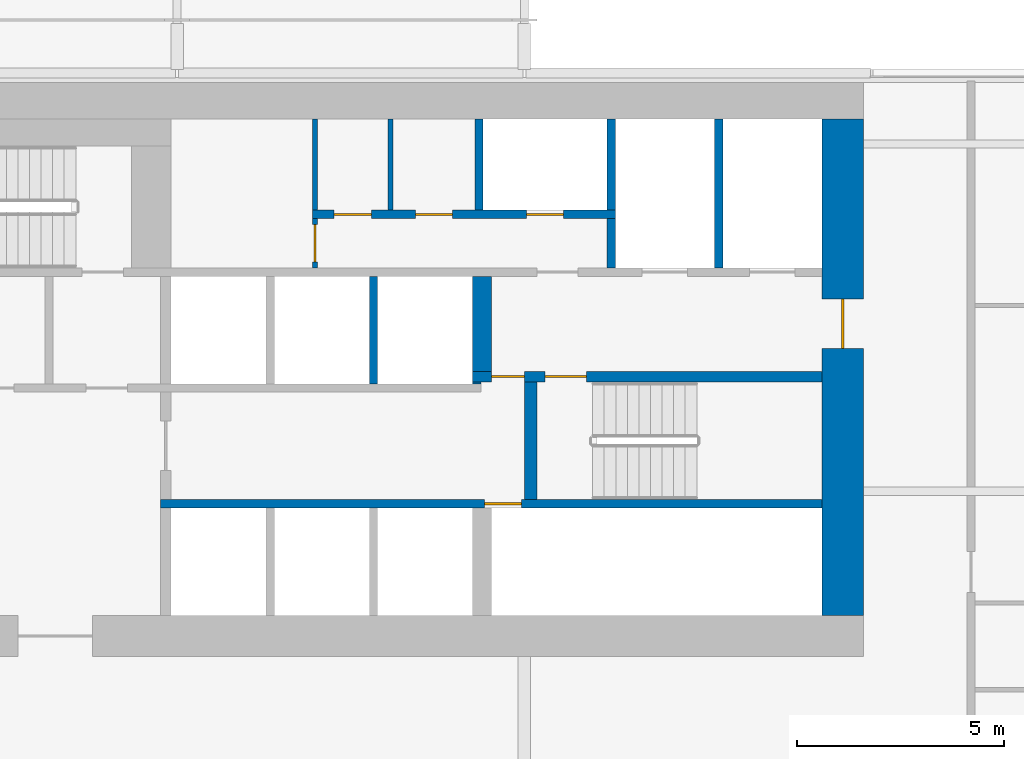
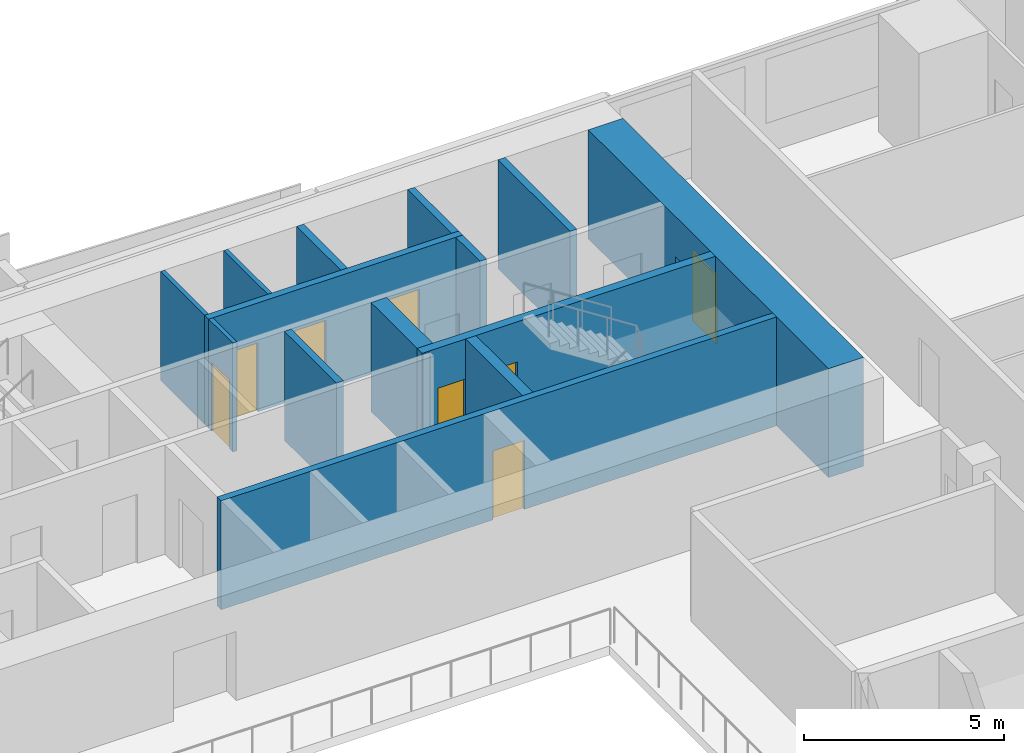
# One storey, part 22 of 26: 15 walls, 8 doors, 8 openings.
"""IFC4 building model written with IfcOpenShell, lengths in metres."""

from ifc_helpers import new_model, si_unit, direction, frame, frame_2d, origin, place, context, subcontext, project, spatial, rectangle, extrude, material, layer, layer_set, type_object, element, fill, save


model = new_model("IFC4")

# Units and contexts
model_context = context("Model", 3, precision=1e-05, world=origin(), true_north=direction((0.0, 1.0)))
body_context = subcontext(model_context, "Body", "Model", "MODEL_VIEW")
ifc_project = project(units=[si_unit("LENGTHUNIT", "METRE"), si_unit("AREAUNIT", "SQUARE_METRE"), si_unit("VOLUMEUNIT", "CUBIC_METRE"), si_unit("PLANEANGLEUNIT", "RADIAN"), si_unit("MASSUNIT", "GRAM", prefix="KILO")], contexts=[model_context])

# Site, building, storey
site_placement = place(None, origin())
site = spatial("IfcSite", under=ifc_project, at=site_placement, CompositionType="ELEMENT")
building_placement = place(site_placement, origin())
building = spatial("IfcBuilding", under=site, at=building_placement, Name="Saffron Gate Tower", CompositionType="ELEMENT")
storey_placement = place(building_placement, frame((0.0, 0.0, 120.449951171875)))
storey = spatial("IfcBuildingStorey", under=building, at=storey_placement, Name="L28", CompositionType="ELEMENT", Elevation=120.449951171875)

# Wall, opening, door
ifc_material_1 = material(Name="Concrete C70", Category="concrete")
ifc_layer_1 = layer(ifc_material_1, 1.0)
ifc_layer_set_1 = layer_set([ifc_layer_1], Name="CW12 RC core wall 1000 C70")
wall_type_1 = type_object("IfcWallType", Name="CW12 RC core wall 1000 C70", PredefinedType="SOLIDWALL", material=ifc_layer_set_1)
wall_1_placement = place(storey_placement, frame((107.89990234375, 62.39990234375, 0.0), z_axis=(0.0, 0.0, 1.0), x_axis=(0.0, 1.0, 0.0)))
wall_1 = element("IfcWall", 1, at=wall_1_placement, inside=storey, type_object=wall_type_1, Name="Wall CW12-L28-4", PredefinedType="SOLIDWALL", context=body_context, shape_type="SweptSolid", body=[
    extrude(rectangle(XDim=12.0, YDim=1.0, at=frame_2d((6.0, 0.0))), origin(), (0.0, 0.0, 1.0), 3.320068359375),
])
opening_1_placement = place(wall_1_placement, frame((6.449951171875, 0.0, 0.0)))
opening_1 = element("IfcOpeningElement", 2, at=opening_1_placement, cuts=wall_1, Name="Opening CR-08", PredefinedType="OPENING", context=body_context, shape_type="SweptSolid", body=[
    extrude(rectangle(XDim=1.199951171875, YDim=2.10009765625, at=frame_2d((0.60009765625, 1.050048828125))), frame((0.0, 0.510009765625, 0.0), z_axis=(0.0, -1.0, 0.0), x_axis=(1.0, 0.0, 0.0)), (0.0, 0.0, 1.0), 1.02001953125),
])
ifc_material_2 = material(Name="Steel fire door set", Category="steel")
door_type_1 = type_object("IfcDoorType", Name="CD7 Core entrance door 1200x2100 EI 120", OperationType="NOTDEFINED", PredefinedType="DOOR", material=ifc_material_2)
door_1_placement = place(opening_1_placement, origin())
door_1 = element("IfcDoor", 3, at=door_1_placement, inside=storey, type_object=door_type_1, Name="DOOR CR-08", OperationType="SINGLE_SWING_RIGHT", OverallHeight=2.10009765625, OverallWidth=1.199951171875, PredefinedType="DOOR", context=body_context, shape_type="SweptSolid", body=[
    extrude(rectangle(XDim=1.199951171875, YDim=2.10009765625, at=frame_2d((0.60009765625, 1.050048828125))), frame((0.0, 0.02490234375, 0.0), z_axis=(0.0, -1.0, 0.0), x_axis=(1.0, 0.0, 0.0)), (0.0, 0.0, 1.0), 0.050048828125),
])
fill(opening_1, door_1)

# Wall, openings, doors
ifc_layer_2 = layer(ifc_material_1, 0.25)
ifc_layer_set_2 = layer_set([ifc_layer_2], Name="CW2 RC core wall 250 C70")
wall_type_2 = type_object("IfcWallType", Name="CW2 RC core wall 250 C70", PredefinedType="SOLIDWALL", material=ifc_layer_set_2)
wall_2_placement = place(storey_placement, frame((98.949951171875, 68.175048828125, 0.0), z_axis=(0.0, 0.0, 1.0), x_axis=(1.0, 0.0, 0.0)))
wall_2 = element("IfcWall", 4, at=wall_2_placement, inside=storey, type_object=wall_type_2, Name="Wall CW2-L28-31", PredefinedType="SOLIDWALL", context=body_context, shape_type="SweptSolid", body=[
    extrude(rectangle(XDim=8.449951171875, YDim=0.25, at=frame_2d((4.22509765625, 0.0))), origin(), (0.0, 0.0, 1.0), 3.320068359375),
])
opening_2_placement = place(wall_2_placement, frame((0.449951171875, 0.0, 0.0)))
opening_2 = element("IfcOpeningElement", 5, at=opening_2_placement, cuts=wall_2, Name="Opening CR-05", PredefinedType="OPENING", context=body_context, shape_type="SweptSolid", body=[
    extrude(rectangle(XDim=0.800048828125, YDim=2.10009765625, at=frame_2d((0.39990234375, 1.050048828125))), frame((0.0, 0.135009765625, 0.0), z_axis=(0.0, -1.0, 0.0), x_axis=(1.0, 0.0, 0.0)), (0.0, 0.0, 1.0), 0.27001953125),
])
opening_3_placement = place(wall_2_placement, frame((1.75, 0.0, 0.0)))
opening_3 = element("IfcOpeningElement", 6, at=opening_3_placement, cuts=wall_2, Name="Opening CR-16", PredefinedType="OPENING", context=body_context, shape_type="SweptSolid", body=[
    extrude(rectangle(XDim=1.0, YDim=2.10009765625, at=frame_2d((0.5, 1.050048828125))), frame((0.0, 0.135009765625, 0.0), z_axis=(0.0, -1.0, 0.0), x_axis=(1.0, 0.0, 0.0)), (0.0, 0.0, 1.0), 0.27001953125),
])
door_type_2 = type_object("IfcDoorType", Name="CD5 Stair door 1000x2100 EI 120", OperationType="NOTDEFINED", PredefinedType="DOOR", material=ifc_material_2)
door_2_placement = place(opening_3_placement, origin())
door_2 = element("IfcDoor", 7, at=door_2_placement, inside=storey, type_object=door_type_2, Name="DOOR CR-16", OperationType="SINGLE_SWING_RIGHT", OverallHeight=2.10009765625, OverallWidth=1.0, PredefinedType="DOOR", context=body_context, shape_type="SweptSolid", body=[
    extrude(rectangle(XDim=1.0, YDim=2.10009765625, at=frame_2d((0.5, 1.050048828125))), frame((0.0, 0.02490234375, 0.0), z_axis=(0.0, -1.0, 0.0), x_axis=(1.0, 0.0, 0.0)), (0.0, 0.0, 1.0), 0.050048828125),
])
fill(opening_3, door_2)
door_type_3 = type_object("IfcDoorType", Name="CD6 Lobby door 800x2100 EI 120", OperationType="NOTDEFINED", PredefinedType="DOOR", material=ifc_material_2)
door_3_placement = place(opening_2_placement, origin())
door_3 = element("IfcDoor", 8, at=door_3_placement, inside=storey, type_object=door_type_3, Name="DOOR CR-05", OperationType="SINGLE_SWING_LEFT", OverallHeight=2.10009765625, OverallWidth=0.800048828125, PredefinedType="DOOR", context=body_context, shape_type="SweptSolid", body=[
    extrude(rectangle(XDim=0.800048828125, YDim=2.10009765625, at=frame_2d((0.39990234375, 1.050048828125))), frame((0.0, 0.02490234375, 0.0), z_axis=(0.0, -1.0, 0.0), x_axis=(1.0, 0.0, 0.0)), (0.0, 0.0, 1.0), 0.050048828125),
])
fill(opening_2, door_3)

# Wall, opening, door
ifc_layer_3 = layer(ifc_material_1, 0.199951171875)
ifc_layer_set_3 = layer_set([ifc_layer_3], Name="CW3 RC core wall 200 C70")
wall_type_3 = type_object("IfcWallType", Name="CW3 RC core wall 200 C70", PredefinedType="SOLIDWALL", material=ifc_layer_set_3)
wall_3_placement = place(storey_placement, frame((91.39990234375, 65.10009765625, 0.0), z_axis=(0.0, 0.0, 1.0), x_axis=(1.0, 0.0, 0.0)))
wall_3 = element("IfcWall", 9, at=wall_3_placement, inside=storey, type_object=wall_type_3, Name="Wall CW3-L28-15", PredefinedType="SOLIDWALL", context=body_context, shape_type="SweptSolid", body=[
    extrude(rectangle(XDim=16.0, YDim=0.199951171875, at=frame_2d((8.0, 0.0))), origin(), (0.0, 0.0, 1.0), 3.320068359375),
])
opening_4_placement = place(wall_3_placement, frame((7.830078125, 0.0, 0.0)))
opening_4 = element("IfcOpeningElement", 10, at=opening_4_placement, cuts=wall_3, Name="Opening CR-48", PredefinedType="OPENING", context=body_context, shape_type="SweptSolid", body=[
    extrude(rectangle(XDim=0.89990234375, YDim=2.10009765625, at=frame_2d((0.449951171875, 1.050048828125))), frame((0.0, 0.10986328125, 0.0), z_axis=(0.0, -1.0, 0.0), x_axis=(1.0, 0.0, 0.0)), (0.0, 0.0, 1.0), 0.219970703125),
])
door_type_4 = type_object("IfcDoorType", Name="CD2 Riser door 900x2100 EI 60", OperationType="NOTDEFINED", PredefinedType="DOOR", material=ifc_material_2)
door_4_placement = place(opening_4_placement, origin())
door_4 = element("IfcDoor", 11, at=door_4_placement, inside=storey, type_object=door_type_4, Name="DOOR CR-48", OperationType="SINGLE_SWING_RIGHT", OverallHeight=2.10009765625, OverallWidth=0.89990234375, PredefinedType="DOOR", context=body_context, shape_type="SweptSolid", body=[
    extrude(rectangle(XDim=0.89990234375, YDim=2.10009765625, at=frame_2d((0.449951171875, 1.050048828125))), frame((0.0, 0.02490234375, 0.0), z_axis=(0.0, -1.0, 0.0), x_axis=(1.0, 0.0, 0.0)), (0.0, 0.0, 1.0), 0.050048828125),
])
fill(opening_4, door_4)

# Walls
wall_4_placement = place(storey_placement, frame((96.550048828125, 68.0, 0.0), z_axis=(0.0, 0.0, 1.0), x_axis=(0.0, 1.0, 0.0)))
element("IfcWall", 12, at=wall_4_placement, inside=storey, type_object=wall_type_3, Name="Wall CW3-L28-28", PredefinedType="SOLIDWALL", context=body_context, shape_type="SweptSolid", body=[
    extrude(rectangle(XDim=2.60009765625, YDim=0.199951171875, at=frame_2d((1.300048828125, 0.0))), origin(), (0.0, 0.0, 1.0), 3.320068359375),
])
wall_5_placement = place(storey_placement, frame((102.300048828125, 70.800048828125, 0.0), z_axis=(0.0, 0.0, 1.0), x_axis=(0.0, 1.0, 0.0)))
element("IfcWall", 13, at=wall_5_placement, inside=storey, type_object=wall_type_3, Name="Wall CW3-L28-41", PredefinedType="SOLIDWALL", context=body_context, shape_type="SweptSolid", body=[
    extrude(rectangle(XDim=1.199951171875, YDim=0.199951171875, at=frame_2d((0.60009765625, 0.0))), origin(), (0.0, 0.0, 1.0), 3.320068359375),
])
wall_6_placement = place(storey_placement, frame((104.89990234375, 70.800048828125, 0.0), z_axis=(0.0, 0.0, 1.0), x_axis=(0.0, 1.0, 0.0)))
element("IfcWall", 14, at=wall_6_placement, inside=storey, type_object=wall_type_3, Name="Wall CW3-L28-42", PredefinedType="SOLIDWALL", context=body_context, shape_type="SweptSolid", body=[
    extrude(rectangle(XDim=3.599853515625, YDim=0.199951171875, at=frame_2d((1.7998046875, 0.0))), origin(), (0.0, 0.0, 1.0), 3.320068359375),
])

# Wall, openings, doors
wall_7_placement = place(storey_placement, frame((95.080078125, 72.10009765625, 0.0), z_axis=(0.0, 0.0, 1.0), x_axis=(1.0, 0.0, 0.0)))
wall_7 = element("IfcWall", 15, at=wall_7_placement, inside=storey, type_object=wall_type_3, Name="Wall CW3-L28-44", PredefinedType="SOLIDWALL", context=body_context, shape_type="SweptSolid", body=[
    extrude(rectangle(XDim=7.31982421875, YDim=0.199951171875, at=frame_2d((3.659912109375, 0.0))), origin(), (0.0, 0.0, 1.0), 3.320068359375),
])
opening_5_placement = place(wall_7_placement, frame((0.52001953125, 0.0, 0.0)))
opening_5 = element("IfcOpeningElement", 16, at=opening_5_placement, cuts=wall_7, Name="Opening CR-50", PredefinedType="OPENING", context=body_context, shape_type="SweptSolid", body=[
    extrude(rectangle(XDim=0.89990234375, YDim=2.10009765625, at=frame_2d((0.449951171875, 1.050048828125))), frame((0.0, 0.10986328125, 0.0), z_axis=(0.0, -1.0, 0.0), x_axis=(1.0, 0.0, 0.0)), (0.0, 0.0, 1.0), 0.219970703125),
])
opening_6_placement = place(wall_7_placement, frame((2.47998046875, 0.0, 0.0)))
opening_6 = element("IfcOpeningElement", 17, at=opening_6_placement, cuts=wall_7, Name="Opening CR-53", PredefinedType="OPENING", context=body_context, shape_type="SweptSolid", body=[
    extrude(rectangle(XDim=0.89990234375, YDim=2.10009765625, at=frame_2d((0.449951171875, 1.050048828125))), frame((0.0, 0.10986328125, 0.0), z_axis=(0.0, -1.0, 0.0), x_axis=(1.0, 0.0, 0.0)), (0.0, 0.0, 1.0), 0.219970703125),
])
opening_7_placement = place(wall_7_placement, frame((5.169921875, 0.0, 0.0)))
opening_7 = element("IfcOpeningElement", 18, at=opening_7_placement, cuts=wall_7, Name="Opening CR-70", PredefinedType="OPENING", context=body_context, shape_type="SweptSolid", body=[
    extrude(rectangle(XDim=0.89990234375, YDim=2.10009765625, at=frame_2d((0.449951171875, 1.050048828125))), frame((0.0, 0.10986328125, 0.0), z_axis=(0.0, -1.0, 0.0), x_axis=(1.0, 0.0, 0.0)), (0.0, 0.0, 1.0), 0.219970703125),
])
door_5_placement = place(opening_7_placement, origin())
door_5 = element("IfcDoor", 19, at=door_5_placement, inside=storey, type_object=door_type_4, Name="DOOR CR-70", OperationType="SINGLE_SWING_LEFT", OverallHeight=2.10009765625, OverallWidth=0.89990234375, PredefinedType="DOOR", context=body_context, shape_type="SweptSolid", body=[
    extrude(rectangle(XDim=0.89990234375, YDim=2.10009765625, at=frame_2d((0.449951171875, 1.050048828125))), frame((0.0, 0.02490234375, 0.0), z_axis=(0.0, -1.0, 0.0), x_axis=(1.0, 0.0, 0.0)), (0.0, 0.0, 1.0), 0.050048828125),
])
fill(opening_7, door_5)
door_type_5 = type_object("IfcDoorType", Name="CD9 Room door 900x2100 EI 60", OperationType="NOTDEFINED", PredefinedType="DOOR", material=ifc_material_2)
door_6_placement = place(opening_5_placement, origin())
door_6 = element("IfcDoor", 20, at=door_6_placement, inside=storey, type_object=door_type_5, Name="DOOR CR-50", OperationType="SINGLE_SWING_LEFT", OverallHeight=2.10009765625, OverallWidth=0.89990234375, PredefinedType="DOOR", context=body_context, shape_type="SweptSolid", body=[
    extrude(rectangle(XDim=0.89990234375, YDim=2.10009765625, at=frame_2d((0.449951171875, 1.050048828125))), frame((0.0, 0.02490234375, 0.0), z_axis=(0.0, -1.0, 0.0), x_axis=(1.0, 0.0, 0.0)), (0.0, 0.0, 1.0), 0.050048828125),
])
fill(opening_5, door_6)
door_7_placement = place(opening_6_placement, origin())
door_7 = element("IfcDoor", 21, at=door_7_placement, inside=storey, type_object=door_type_5, Name="DOOR CR-53", OperationType="SINGLE_SWING_LEFT", OverallHeight=2.10009765625, OverallWidth=0.89990234375, PredefinedType="DOOR", context=body_context, shape_type="SweptSolid", body=[
    extrude(rectangle(XDim=0.89990234375, YDim=2.10009765625, at=frame_2d((0.449951171875, 1.050048828125))), frame((0.0, 0.02490234375, 0.0), z_axis=(0.0, -1.0, 0.0), x_axis=(1.0, 0.0, 0.0)), (0.0, 0.0, 1.0), 0.050048828125),
])
fill(opening_6, door_7)

# Walls
for number, where, z_axis, x_axis, name in (
    (22, (99.10009765625, 72.199951171875, 0.0), (0.0, 0.0, 1.0), (0.0, 1.0, 0.0), "Wall CW3-L28-51"),
    (23, (102.300048828125, 72.199951171875, 0.0), (0.0, 0.0, 1.0), (0.0, 1.0, 0.0), "Wall CW3-L28-52"),
):
    element("IfcWall", number, at=place(storey_placement, frame(where, z_axis=z_axis, x_axis=x_axis)), inside=storey, type_object=wall_type_3, Name=name, PredefinedType="SOLIDWALL", context=body_context, shape_type="SweptSolid", body=[
        extrude(rectangle(XDim=2.199951171875, YDim=0.199951171875, at=frame_2d((1.10009765625, 0.0))), origin(), (0.0, 0.0, 1.0), 3.320068359375),
    ])
ifc_layer_4 = layer(ifc_material_1, 0.449951171875)
ifc_layer_set_4 = layer_set([ifc_layer_4], Name="CW4 RC core wall 450 C70")
wall_type_4 = type_object("IfcWallType", Name="CW4 RC core wall 450 C70", PredefinedType="SOLIDWALL", material=ifc_layer_set_4)
wall_8_placement = place(storey_placement, frame((99.175048828125, 68.300048828125, 0.0), z_axis=(0.0, 0.0, 1.0), x_axis=(0.0, 1.0, 0.0)))
element("IfcWall", 24, at=wall_8_placement, inside=storey, type_object=wall_type_4, Name="Wall CW4-L28-33", PredefinedType="SOLIDWALL", context=body_context, shape_type="SweptSolid", body=[
    extrude(rectangle(XDim=2.300048828125, YDim=0.449951171875, at=frame_2d((1.14990234375, 0.0))), origin(), (0.0, 0.0, 1.0), 3.320068359375),
])
ifc_layer_5 = layer(ifc_material_1, 0.300048828125)
ifc_layer_set_5 = layer_set([ifc_layer_5], Name="CW5 RC core wall 300 C70")
wall_type_5 = type_object("IfcWallType", Name="CW5 RC core wall 300 C70", PredefinedType="SOLIDWALL", material=ifc_layer_set_5)
wall_9_placement = place(storey_placement, frame((100.35009765625, 65.199951171875, 0.0), z_axis=(0.0, 0.0, 1.0), x_axis=(0.0, 1.0, 0.0)))
element("IfcWall", 25, at=wall_9_placement, inside=storey, type_object=wall_type_5, Name="Wall CW5-L28-19", PredefinedType="SOLIDWALL", context=body_context, shape_type="SweptSolid", body=[
    extrude(rectangle(XDim=2.85009765625, YDim=0.300048828125, at=frame_2d((1.425048828125, 0.0))), origin(), (0.0, 0.0, 1.0), 3.320068359375),
])
ifc_layer_6 = layer(ifc_material_1, 0.050048828125)
ifc_layer_set_6 = layer_set([ifc_layer_6], Name="CW6 RC core wall 50 C70")
wall_type_6 = type_object("IfcWallType", Name="CW6 RC core wall 50 C70", PredefinedType="SOLIDWALL", material=ifc_layer_set_6)
wall_10_placement = place(storey_placement, frame((98.949951171875, 68.02490234375, 0.0), z_axis=(0.0, 0.0, 1.0), x_axis=(1.0, 0.0, 0.0)))
element("IfcWall", 26, at=wall_10_placement, inside=storey, type_object=wall_type_6, Name="Wall CW6-L28-29", PredefinedType="SOLIDWALL", context=body_context, shape_type="SweptSolid", body=[
    extrude(rectangle(XDim=0.199951171875, YDim=0.050048828125, at=frame_2d((0.10009765625, 0.0))), origin(), (0.0, 0.0, 1.0), 3.320068359375),
])

# Wall, opening, door
ifc_material_3 = material(Name="Gypsum board partition on steel studs", Category="steel")
ifc_layer_7 = layer(ifc_material_3, 0.1201171875)
ifc_layer_set_7 = layer_set([ifc_layer_7], Name="CW8 Core partition 120")
wall_type_7 = type_object("IfcWallType", Name="CW8 Core partition 120", PredefinedType="PARTITIONING", material=ifc_layer_set_7)
wall_11_placement = place(storey_placement, frame((95.139892578125, 70.800048828125, 0.0), z_axis=(0.0, 0.0, 1.0), x_axis=(0.0, 1.0, 0.0)))
wall_11 = element("IfcWall", 27, at=wall_11_placement, inside=storey, type_object=wall_type_7, Name="Wall CW8-L28-40", PredefinedType="PARTITIONING", context=body_context, shape_type="SweptSolid", body=[
    extrude(rectangle(XDim=1.199951171875, YDim=0.1201171875, at=frame_2d((0.60009765625, 0.0))), origin(), (0.0, 0.0, 1.0), 3.320068359375),
])
opening_8_placement = place(wall_11_placement, frame((0.14990234375, 0.0, 0.0)))
opening_8 = element("IfcOpeningElement", 28, at=opening_8_placement, cuts=wall_11, Name="Opening CR-54", PredefinedType="OPENING", context=body_context, shape_type="SweptSolid", body=[
    extrude(rectangle(XDim=0.89990234375, YDim=2.10009765625, at=frame_2d((0.449951171875, 1.050048828125))), frame((0.0, 0.070068359375, 0.0), z_axis=(0.0, -1.0, 0.0), x_axis=(1.0, 0.0, 0.0)), (0.0, 0.0, 1.0), 0.14013671875),
])
door_8_placement = place(opening_8_placement, origin())
door_8 = element("IfcDoor", 29, at=door_8_placement, inside=storey, type_object=door_type_5, Name="DOOR CR-54", OperationType="SINGLE_SWING_LEFT", OverallHeight=2.10009765625, OverallWidth=0.89990234375, PredefinedType="DOOR", context=body_context, shape_type="SweptSolid", body=[
    extrude(rectangle(XDim=0.89990234375, YDim=2.10009765625, at=frame_2d((0.449951171875, 1.050048828125))), frame((0.0, 0.02490234375, 0.0), z_axis=(0.0, -1.0, 0.0), x_axis=(1.0, 0.0, 0.0)), (0.0, 0.0, 1.0), 0.050048828125),
])
fill(opening_8, door_8)

# Walls
for number, where, z_axis, x_axis, name in (
    (30, (95.139892578125, 72.199951171875, 0.0), (0.0, 0.0, 1.0), (0.0, 1.0, 0.0), "Wall CW8-L28-49"),
    (31, (96.9599609375, 72.199951171875, 0.0), (0.0, 0.0, 1.0), (0.0, 1.0, 0.0), "Wall CW8-L28-50"),
):
    element("IfcWall", number, at=place(storey_placement, frame(where, z_axis=z_axis, x_axis=x_axis)), inside=storey, type_object=wall_type_7, Name=name, PredefinedType="PARTITIONING", context=body_context, shape_type="SweptSolid", body=[
        extrude(rectangle(XDim=2.199951171875, YDim=0.1201171875, at=frame_2d((1.10009765625, 0.0))), origin(), (0.0, 0.0, 1.0), 3.320068359375),
    ])

save(model, "model.ifc")
